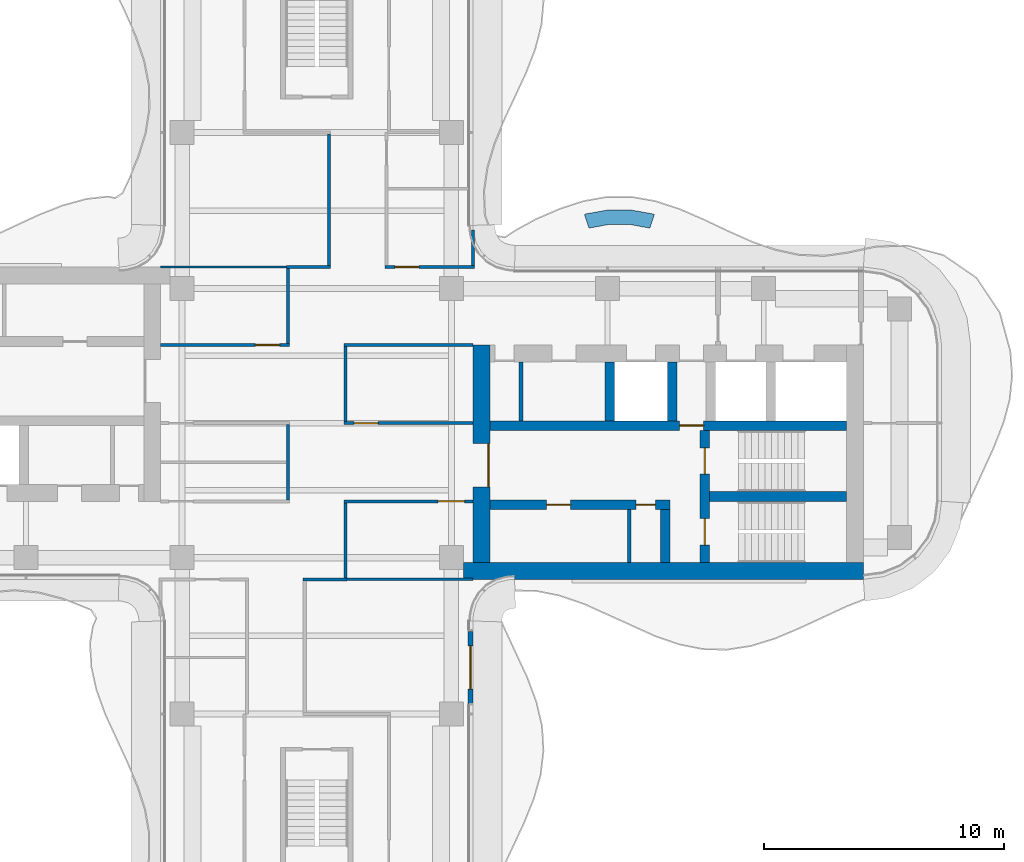
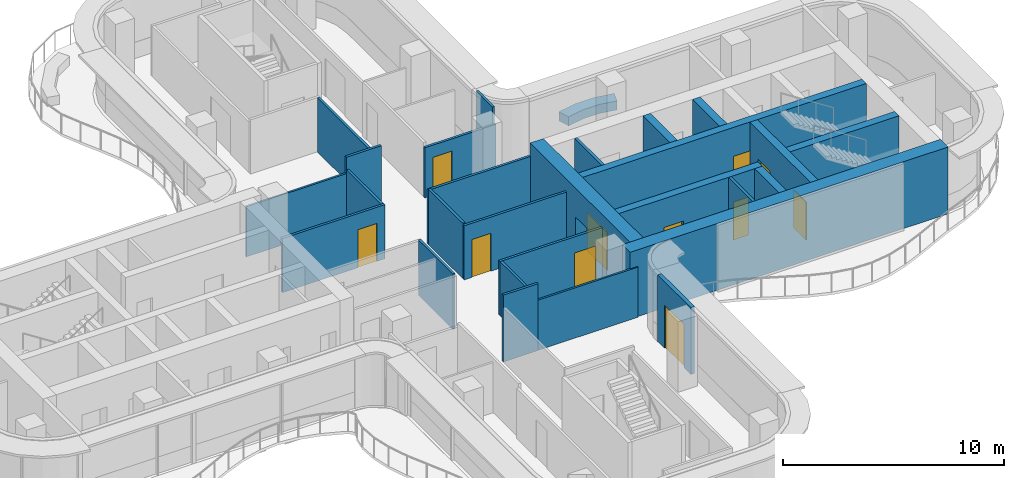
# One storey, part 13 of 17: 28 walls, 11 doors, 11 openings.
"""IFC4 building model written with IfcOpenShell, lengths in metres."""

import ifcopenshell
import ifcopenshell.guid

model = None  # the IFC model being written
_history = None  # IfcOwnerHistory: only IFC2X3 demands one
_inside = {}  # id of a spatial element -> (the spatial element, [elements in it])
_under = {}  # id of a project, library or spatial element -> (it, [spatial elements below it])
_declared = {}  # id of a project -> (the project, [libraries it declares])
_typed = {}  # id of a type object -> (the type object, [elements of that type])
_made_of = {}  # id of a material, layer set ... -> (it, [elements and type objects made of it])


def new_model(schema):
    """Start an empty IFC model of exactly this schema.

    Asked for "IFC4X3", IfcOpenShell would pick the latest addendum, in which some entities
    have other attributes; the version numbers below select the first issue.
    IFC2X3 requires an IfcOwnerHistory on every rooted entity: one is made here for all.
    """
    global model, _history
    if schema == "IFC4X3":
        model = ifcopenshell.file(schema_version=(4, 3, 0, 0))
    else:
        model = ifcopenshell.file(schema=schema)
    _inside.clear()
    _under.clear()
    _declared.clear()
    _typed.clear()
    _made_of.clear()
    _history = None
    if model.schema == "IFC2X3":
        org = make("IfcOrganization", Name="unknown")
        user = make(
            "IfcPersonAndOrganization",
            ThePerson=make("IfcPerson", FamilyName="unknown"),
            TheOrganization=org,
        )
        app = make(
            "IfcApplication",
            ApplicationDeveloper=org,
            Version="unknown",
            ApplicationFullName="unknown",
            ApplicationIdentifier="unknown",
        )
        _history = make(
            "IfcOwnerHistory",
            OwningUser=user,
            OwningApplication=app,
            ChangeAction="ADDED",
            CreationDate=0,
        )
    return model


def make(cls, **values):
    """One entity of the class cls with the attributes given. An attribute that is None is left unset."""
    return model.create_entity(
        cls, **{name: value for name, value in values.items() if value is not None}
    )


def rooted(cls, **values):
    """An entity with a GlobalId (a new one), such as an element, a storey or a relation."""
    return make(cls, GlobalId=ifcopenshell.guid.new(), OwnerHistory=_history, **values)


def si_unit(unit_type, name, prefix=None):
    """IfcSIUnit, for example si_unit("LENGTHUNIT", "METRE", prefix="MILLI")."""
    return make("IfcSIUnit", UnitType=unit_type, Prefix=prefix, Name=name)


def assignment(units):
    """IfcUnitAssignment: the units of a project."""
    return None if units is None else make("IfcUnitAssignment", Units=units)


def point(xyz):
    """IfcCartesianPoint."""
    return None if xyz is None else make("IfcCartesianPoint", Coordinates=xyz)


def direction(xyz):
    """IfcDirection."""
    return None if xyz is None else make("IfcDirection", DirectionRatios=xyz)


def frame(location, z_axis=None, x_axis=None):
    """IfcAxis2Placement3D, a coordinate frame: its origin and axes. An axis left out is left unset."""
    return make(
        "IfcAxis2Placement3D",
        Location=point(location),
        Axis=direction(z_axis),
        RefDirection=direction(x_axis),
    )


def frame_2d(location, x_axis=None):
    """IfcAxis2Placement2D, a coordinate frame in the plane: its origin and x axis."""
    return make(
        "IfcAxis2Placement2D", Location=point(location), RefDirection=direction(x_axis)
    )


def origin():
    """The frame at (0, 0, 0) with its axes left unset."""
    return frame((0.0, 0.0, 0.0))


def place(relative_to, where):
    """IfcLocalPlacement: puts the frame where relative to a parent placement (None: the world)."""
    return make(
        "IfcLocalPlacement", PlacementRelTo=relative_to, RelativePlacement=where
    )


def context(
    kind, dimensions, precision=None, world=None, true_north=None, identifier=None
):
    """IfcGeometricRepresentationContext, for example the 3D "Model" context."""
    return make(
        "IfcGeometricRepresentationContext",
        ContextIdentifier=identifier,
        ContextType=kind,
        CoordinateSpaceDimension=dimensions,
        Precision=precision,
        WorldCoordinateSystem=world,
        TrueNorth=true_north,
    )


def subcontext(parent, identifier, kind, view, scale=None):
    """IfcGeometricRepresentationSubContext, for example "Body" below "Model"."""
    return make(
        "IfcGeometricRepresentationSubContext",
        ContextIdentifier=identifier,
        ContextType=kind,
        ParentContext=parent,
        TargetScale=scale,
        TargetView=view,
    )


def project(units=None, contexts=None):
    """IfcProject with its units and contexts."""
    return rooted(
        "IfcProject",
        Name="project",
        RepresentationContexts=contexts,
        UnitsInContext=assignment(units),
    )


def spatial(cls, under=None, at=None, **own):
    """A site, building, storey or space (cls), placed at a placement, below another one or the project."""
    s = rooted(cls, ObjectPlacement=at, **own)
    if under is not None:
        _under.setdefault(under.id(), (under, []))[1].append(s)
    return s


def polyline(points):
    """IfcPolyline through the points."""
    return make("IfcPolyline", Points=[point(p) for p in points])


def profile(cls, at=None, kind="AREA", **sizes):
    """A parametric profile (cls). Its sizes go by their IFC names, for example OverallWidth=200.0."""
    return make(cls, ProfileType=kind, Position=at, **sizes)


def rectangle(**sizes):
    """IfcRectangleProfileDef."""
    return profile("IfcRectangleProfileDef", **sizes)


def outline(outer, holes=None, kind="AREA"):
    """IfcArbitraryClosedProfileDef: a profile drawn as a closed curve; with holes, ...WithVoids."""
    if holes is None:
        return make("IfcArbitraryClosedProfileDef", ProfileType=kind, OuterCurve=outer)
    return make(
        "IfcArbitraryProfileDefWithVoids",
        ProfileType=kind,
        OuterCurve=outer,
        InnerCurves=holes,
    )


def extrude(swept, where, along, depth):
    """IfcExtrudedAreaSolid: the profile swept, set in the frame where, extruded along a direction by depth."""
    return make(
        "IfcExtrudedAreaSolid",
        SweptArea=swept,
        Position=where,
        ExtrudedDirection=direction(along),
        Depth=depth,
    )


def shape(context_of_items, identifier, shape_type, items):
    """IfcShapeRepresentation: the items that make up one representation, for example the "Body"."""
    return make(
        "IfcShapeRepresentation",
        ContextOfItems=context_of_items,
        RepresentationIdentifier=identifier,
        RepresentationType=shape_type,
        Items=items,
    )


def source(mapping_origin, context_of_items, identifier, shape_type, items):
    """IfcRepresentationMap: a shape defined once, which mapped items show again and again."""
    return make(
        "IfcRepresentationMap",
        MappingOrigin=mapping_origin,
        MappedRepresentation=shape(context_of_items, identifier, shape_type, items),
    )


def transform(
    local_origin,
    x_axis=None,
    y_axis=None,
    z_axis=None,
    scale=None,
    scale2=None,
    scale3=None,
    uniform=True,
):
    """IfcCartesianTransformationOperator3D, or its non-uniform kind. x_axis, y_axis, z_axis: its Axis1, 2, 3."""
    if uniform:
        return make(
            "IfcCartesianTransformationOperator3D",
            Axis1=direction(x_axis),
            Axis2=direction(y_axis),
            LocalOrigin=point(local_origin),
            Scale=scale,
            Axis3=direction(z_axis),
        )
    return make(
        "IfcCartesianTransformationOperator3DnonUniform",
        Axis1=direction(x_axis),
        Axis2=direction(y_axis),
        LocalOrigin=point(local_origin),
        Scale=scale,
        Axis3=direction(z_axis),
        Scale2=scale2,
        Scale3=scale3,
    )


def mapped(mapping_source, mapping_target):
    """IfcMappedItem: shows the shape of a source again, moved by a transform."""
    return make(
        "IfcMappedItem", MappingSource=mapping_source, MappingTarget=mapping_target
    )


def material(Name=None, Category=None):
    """IfcMaterial."""
    return make("IfcMaterial", Name=Name, Category=Category)


def layer(
    of_material, thickness, ventilated=None, Name=None, Category=None, Priority=None
):
    """IfcMaterialLayer: one layer of a wall or slab, of a material (None: an air gap)."""
    return make(
        "IfcMaterialLayer",
        Material=of_material,
        LayerThickness=thickness,
        IsVentilated=ventilated,
        Name=Name,
        Category=Category,
        Priority=Priority,
    )


def layer_set(layers, Name=None):
    """IfcMaterialLayerSet."""
    return make("IfcMaterialLayerSet", MaterialLayers=layers, LayerSetName=Name)


def made_of(thing, what):
    """Note that an element or type object is made of a material, layer set ...; save() writes the relation."""
    if what is not None:
        _made_of.setdefault(what.id(), (what, []))[1].append(thing)
    return thing


def type_object(cls, material=None, **own):
    """A type object (cls), such as IfcWallType, which elements share."""
    return made_of(rooted(cls, **own), material)


def element(
    cls,
    number,
    at=None,
    inside=None,
    cuts=None,
    type_object=None,
    material=None,
    context=None,
    identifier="Body",
    shape_type=None,
    held_by="IfcProductDefinitionShape",
    body=None,
    shapes=None,
    **own,
):
    """One element of the class cls, such as IfcWall. Its Tag is "e" and its number.

    at: its placement. inside: the storey or other place that contains it. cuts: it is an
    opening in that element (IfcRelVoidsElement). A single representation is given by context,
    identifier, shape_type and body (its items); several are given by shapes. held_by: the class
    of the entity that holds the representations. save() writes the other relations.
    """
    e = rooted(cls, Tag="e%d" % number, ObjectPlacement=at, **own)
    if body is not None:
        shapes = [shape(context, identifier, shape_type, body)]
    if shapes is not None:
        e.Representation = make(held_by, Representations=shapes)
    if inside is not None:
        _inside.setdefault(inside.id(), (inside, []))[1].append(e)
    if cuts is not None:
        rooted(
            "IfcRelVoidsElement", RelatingBuildingElement=cuts, RelatedOpeningElement=e
        )
    if type_object is not None:
        _typed.setdefault(type_object.id(), (type_object, []))[1].append(e)
    return made_of(e, material)


def fill(opening, filler):
    """IfcRelFillsElement: the door or window that sits in an opening."""
    return rooted(
        "IfcRelFillsElement",
        RelatingOpeningElement=opening,
        RelatedBuildingElement=filler,
    )


def aggregate(whole, parts):
    """IfcRelAggregates: a whole, such as a stair, and the parts it consists of."""
    return rooted("IfcRelAggregates", RelatingObject=whole, RelatedObjects=parts)


def save(model, path):
    """Write the relations noted so far, then the file.

    IfcRelAggregates (storeys below a building ...), IfcRelContainedInSpatialStructure (elements
    in a storey), IfcRelDefinesByType, IfcRelAssociatesMaterial and IfcRelDeclares: one each for
    every whole, place, type object, material and project.
    """
    for whole, parts in _under.values():
        aggregate(whole, parts)
    for where, things in _inside.values():
        rooted(
            "IfcRelContainedInSpatialStructure",
            RelatedElements=things,
            RelatingStructure=where,
        )
    for kind, things in _typed.values():
        rooted("IfcRelDefinesByType", RelatedObjects=things, RelatingType=kind)
    for what, things in _made_of.values():
        rooted("IfcRelAssociatesMaterial", RelatedObjects=things, RelatingMaterial=what)
    for by, libraries in _declared.values():
        rooted("IfcRelDeclares", RelatingContext=by, RelatedDefinitions=libraries)
    model.write(path)


model = new_model("IFC4")

# Units and contexts
model_context = context("Model", 3, precision=1e-05, world=origin(), true_north=direction((0.0, 1.0)))
body_context = subcontext(model_context, "Body", "Model", "MODEL_VIEW")
ifc_project = project(units=[si_unit("LENGTHUNIT", "METRE"), si_unit("AREAUNIT", "SQUARE_METRE"), si_unit("VOLUMEUNIT", "CUBIC_METRE"), si_unit("PLANEANGLEUNIT", "RADIAN"), si_unit("MASSUNIT", "GRAM", prefix="KILO")], contexts=[model_context])

# Site, building, storey
site_placement = place(None, origin())
site = spatial("IfcSite", under=ifc_project, at=site_placement, CompositionType="ELEMENT")
building_placement = place(site_placement, origin())
building = spatial("IfcBuilding", under=site, at=building_placement, Name="Trellis Farm Tower", CompositionType="ELEMENT")
storey_placement = place(building_placement, frame((0.0, 0.0, 283.300048828125)))
storey = spatial("IfcBuildingStorey", under=building, at=storey_placement, Name="L63", CompositionType="ELEMENT", Elevation=283.300048828125)

# Wall
ifc_material_1 = material(Name="Sandstone faced masonry planter", Category="masonry")
ifc_layer_1 = layer(ifc_material_1, 0.60009765625)
ifc_layer_set_1 = layer_set([ifc_layer_1], Name="PLANTER BED 600")
wall_type_1 = type_object("IfcWallType", Name="PLANTER BED 600", PredefinedType="USERDEFINED", material=ifc_layer_set_1)
wall_1_placement = place(storey_placement, origin())
element("IfcWall", 1, at=wall_1_placement, inside=storey, type_object=wall_type_1, Name="PLANTER bed", ObjectType="PLANTER", PredefinedType="USERDEFINED", context=body_context, shape_type="SweptSolid", body=[
    extrude(outline(polyline([(12.141845703125, 8.875732421875), (13.04443359375, 8.876220703125), (13.960205078125, 8.71484375), (14.05126953125, 8.68505859375), (13.8642578125, 8.114990234375), (12.9921875, 8.276123046875), (12.194580078125, 8.275634765625), (11.328125, 8.114990234375), (11.141357421875, 8.68505859375), (11.231689453125, 8.714599609375), (12.141845703125, 8.875732421875)])), origin(), (0.0, 0.0, 1.0), 0.5),
])

# Wall, opening, door
ifc_material_2 = material(Name="Concrete C50/60", Category="concrete")
ifc_layer_2 = layer(ifc_material_2, 0.699951171875)
ifc_layer_set_2 = layer_set([ifc_layer_2], Name="CORE OUTER WALL 700 CONCRETE C50/60")
wall_type_2 = type_object("IfcWallType", Name="CORE OUTER WALL 700 CONCRETE C50/60", PredefinedType="SHEAR", material=ifc_layer_set_2)
shared_shape_1 = source(origin(), body_context, "Body", "SweptSolid", [
    extrude(rectangle(XDim=9.050048828125, YDim=0.699951171875, at=frame_2d((4.52490234375, 0.0))), origin(), (0.0, 0.0, 1.0), 3.699951171875),
])
wall_2_placement = place(storey_placement, frame((6.85009765625, -5.800048828125, 0.0), z_axis=(0.0, 0.0, 1.0), x_axis=(0.0, 1.0, 0.0)))
wall_2 = element("IfcWall", 2, at=wall_2_placement, inside=storey, type_object=wall_type_2, Name="Core wall", PredefinedType="SHEAR", context=body_context, shape_type="MappedRepresentation", body=[
    mapped(shared_shape_1, transform((0.0, 0.0, 0.0))),
])
shared_shape_2 = source(origin(), body_context, "Body", "SweptSolid", [
    extrude(rectangle(XDim=1.800048828125, YDim=2.10009765625, at=frame_2d((0.89990234375, 1.050048828125))), frame((0.0, 0.360107421875, 0.0), z_axis=(0.0, -1.0, 0.0), x_axis=(1.0, 0.0, 0.0)), (0.0, 0.0, 1.0), 0.72021484375),
])
opening_1_placement = place(wall_2_placement, frame((3.14990234375, 0.0, 0.0)))
opening_1 = element("IfcOpeningElement", 3, at=opening_1_placement, cuts=wall_2, Name="Opening DC1", PredefinedType="OPENING", context=body_context, shape_type="MappedRepresentation", body=[
    mapped(shared_shape_2, transform((0.0, 0.0, 0.0))),
])
ifc_material_3 = material(Name="Steel", Category="steel")
door_type_1 = type_object("IfcDoorType", Name="CORE FIRE DOOR DOUBLE 1800 X 2100", OperationType="DOUBLE_DOOR_SINGLE_SWING", PredefinedType="DOOR", material=ifc_material_3)
shared_shape_3 = source(origin(), body_context, "Body", "SweptSolid", [
    extrude(rectangle(XDim=1.800048828125, YDim=2.10009765625, at=frame_2d((0.89990234375, 1.050048828125))), frame((0.0, -0.27490234375, 0.0), z_axis=(0.0, -1.0, 0.0), x_axis=(1.0, 0.0, 0.0)), (0.0, 0.0, 1.0), 0.050048828125),
])
door_1_placement = place(opening_1_placement, origin())
door_1 = element("IfcDoor", 4, at=door_1_placement, inside=storey, type_object=door_type_1, Name="Core door", OperationType="DOUBLE_DOOR_SINGLE_SWING", OverallHeight=2.10009765625, OverallWidth=1.800048828125, PredefinedType="DOOR", context=body_context, shape_type="MappedRepresentation", body=[
    mapped(shared_shape_3, transform((0.0, 0.0, 0.0))),
])
fill(opening_1, door_1)

# Walls
ifc_layer_3 = layer(ifc_material_2, 0.39990234375)
ifc_layer_set_3 = layer_set([ifc_layer_3], Name="CORE INNER WALL 400 CONCRETE C50/60")
wall_type_3 = type_object("IfcWallType", Name="CORE INNER WALL 400 CONCRETE C50/60", PredefinedType="SHEAR", material=ifc_layer_set_3)
shared_shape_4 = source(origin(), body_context, "Body", "SweptSolid", [
    extrude(rectangle(XDim=2.449951171875, YDim=0.39990234375, at=frame_2d((1.22509765625, 0.0))), origin(), (0.0, 0.0, 1.0), 3.699951171875),
])
for number, where, z_axis, x_axis, name in (
    (5, (12.199951171875, 0.10009765625, 0.0), (0.0, 0.0, 1.0), (0.0, 1.0, 0.0), "Core wall"),
    (6, (14.800048828125, 0.10009765625, 0.0), (0.0, 0.0, 1.0), (0.0, 1.0, 0.0), "Core wall"),
):
    element("IfcWall", number, at=place(storey_placement, frame(where, z_axis=z_axis, x_axis=x_axis)), inside=storey, type_object=wall_type_3, Name=name, PredefinedType="SHEAR", context=body_context, shape_type="MappedRepresentation", body=[
        mapped(shared_shape_4, transform((0.0, 0.0, 0.0))),
    ])

# Wall, openings, doors
shared_shape_5 = source(origin(), body_context, "Body", "SweptSolid", [
    extrude(rectangle(XDim=7.5, YDim=0.39990234375, at=frame_2d((3.75, 0.0))), origin(), (0.0, 0.0, 1.0), 3.699951171875),
])
wall_3_placement = place(storey_placement, frame((7.199951171875, -3.39990234375, 0.0), z_axis=(0.0, 0.0, 1.0), x_axis=(1.0, 0.0, 0.0)))
wall_3 = element("IfcWall", 7, at=wall_3_placement, inside=storey, type_object=wall_type_3, Name="Core wall", PredefinedType="SHEAR", context=body_context, shape_type="MappedRepresentation", body=[
    mapped(shared_shape_5, transform((0.0, 0.0, 0.0))),
])
shared_shape_6 = source(origin(), body_context, "Body", "SweptSolid", [
    extrude(rectangle(XDim=1.0, YDim=2.10009765625, at=frame_2d((0.5, 1.050048828125))), frame((0.0, 0.2099609375, 0.0), z_axis=(0.0, -1.0, 0.0), x_axis=(1.0, 0.0, 0.0)), (0.0, 0.0, 1.0), 0.419921875),
])
opening_2_placement = place(wall_3_placement, frame((2.362548828125, 0.0, 0.0)))
opening_2 = element("IfcOpeningElement", 8, at=opening_2_placement, cuts=wall_3, Name="Opening DC55", PredefinedType="OPENING", context=body_context, shape_type="MappedRepresentation", body=[
    mapped(shared_shape_6, transform((0.0, 0.0, 0.0))),
])
shared_shape_7 = source(origin(), body_context, "Body", "SweptSolid", [
    extrude(rectangle(XDim=0.800048828125, YDim=2.10009765625, at=frame_2d((0.39990234375, 1.050048828125))), frame((0.0, 0.2099609375, 0.0), z_axis=(0.0, -1.0, 0.0), x_axis=(1.0, 0.0, 0.0)), (0.0, 0.0, 1.0), 0.419921875),
])
opening_3_placement = place(wall_3_placement, frame((6.08740234375, 0.0, 0.0)))
opening_3 = element("IfcOpeningElement", 9, at=opening_3_placement, cuts=wall_3, Name="Opening DC58", PredefinedType="OPENING", context=body_context, shape_type="MappedRepresentation", body=[
    mapped(shared_shape_7, transform((0.0, 0.0, 0.0))),
])
door_type_2 = type_object("IfcDoorType", Name="CORE FIRE DOOR 1000 X 2100", OperationType="NOTDEFINED", PredefinedType="DOOR", material=ifc_material_3)
shared_shape_8 = source(origin(), body_context, "Body", "SweptSolid", [
    extrude(rectangle(XDim=1.0, YDim=2.10009765625, at=frame_2d((0.5, 1.050048828125))), frame((0.0, 0.02490234375, 0.0), z_axis=(0.0, -1.0, 0.0), x_axis=(1.0, 0.0, 0.0)), (0.0, 0.0, 1.0), 0.050048828125),
])
door_2_placement = place(opening_2_placement, origin())
door_2 = element("IfcDoor", 10, at=door_2_placement, inside=storey, type_object=door_type_2, Name="Core door", OperationType="SINGLE_SWING_LEFT", OverallHeight=2.10009765625, OverallWidth=1.0, PredefinedType="DOOR", context=body_context, shape_type="MappedRepresentation", body=[
    mapped(shared_shape_8, transform((0.0, 0.0, 0.0))),
])
fill(opening_2, door_2)
door_type_3 = type_object("IfcDoorType", Name="CORE FIRE DOOR 800 X 2100", OperationType="NOTDEFINED", PredefinedType="DOOR", material=ifc_material_3)
shared_shape_9 = source(origin(), body_context, "Body", "SweptSolid", [
    extrude(rectangle(XDim=0.800048828125, YDim=2.10009765625, at=frame_2d((0.39990234375, 1.050048828125))), frame((0.0, 0.02490234375, 0.0), z_axis=(0.0, -1.0, 0.0), x_axis=(1.0, 0.0, 0.0)), (0.0, 0.0, 1.0), 0.050048828125),
])
door_3_placement = place(opening_3_placement, origin())
door_3 = element("IfcDoor", 11, at=door_3_placement, inside=storey, type_object=door_type_3, Name="Core door", OperationType="SINGLE_SWING_RIGHT", OverallHeight=2.10009765625, OverallWidth=0.800048828125, PredefinedType="DOOR", context=body_context, shape_type="MappedRepresentation", body=[
    mapped(shared_shape_9, transform((0.0, 0.0, 0.0))),
])
fill(opening_3, door_3)

# Wall, opening, door
shared_shape_10 = source(origin(), body_context, "Body", "SweptSolid", [
    extrude(rectangle(XDim=14.85009765625, YDim=0.39990234375, at=frame_2d((7.425048828125, 0.0))), origin(), (0.0, 0.0, 1.0), 3.699951171875),
])
wall_4_placement = place(storey_placement, frame((7.199951171875, -0.10009765625, 0.0), z_axis=(0.0, 0.0, 1.0), x_axis=(1.0, 0.0, 0.0)))
wall_4 = element("IfcWall", 12, at=wall_4_placement, inside=storey, type_object=wall_type_3, Name="Core wall", PredefinedType="SHEAR", context=body_context, shape_type="MappedRepresentation", body=[
    mapped(shared_shape_10, transform((0.0, 0.0, 0.0))),
])
opening_4_placement = place(wall_4_placement, frame((7.89990234375, 0.0, 0.0)))
opening_4 = element("IfcOpeningElement", 13, at=opening_4_placement, cuts=wall_4, Name="Opening DC5", PredefinedType="OPENING", context=body_context, shape_type="MappedRepresentation", body=[
    mapped(shared_shape_6, transform((0.0, 0.0, 0.0))),
])
door_4_placement = place(opening_4_placement, origin())
door_4 = element("IfcDoor", 14, at=door_4_placement, inside=storey, type_object=door_type_2, Name="Core door", OperationType="SINGLE_SWING_RIGHT", OverallHeight=2.10009765625, OverallWidth=1.0, PredefinedType="DOOR", context=body_context, shape_type="MappedRepresentation", body=[
    mapped(shared_shape_8, transform((0.0, 0.0, 0.0))),
])
fill(opening_4, door_4)

# Wall, openings, doors
shared_shape_11 = source(origin(), body_context, "Body", "SweptSolid", [
    extrude(rectangle(XDim=5.5, YDim=0.39990234375, at=frame_2d((2.75, 0.0))), origin(), (0.0, 0.0, 1.0), 3.699951171875),
])
wall_5_placement = place(storey_placement, frame((16.14990234375, -5.800048828125, 0.0), z_axis=(0.0, 0.0, 1.0), x_axis=(0.0, 1.0, 0.0)))
wall_5 = element("IfcWall", 15, at=wall_5_placement, inside=storey, type_object=wall_type_3, Name="Core wall", PredefinedType="SHEAR", context=body_context, shape_type="MappedRepresentation", body=[
    mapped(shared_shape_11, transform((0.0, 0.0, 0.0))),
])
shared_shape_12 = source(origin(), body_context, "Body", "SweptSolid", [
    extrude(rectangle(XDim=1.10009765625, YDim=2.10009765625, at=frame_2d((0.550048828125, 1.050048828125))), frame((0.0, 0.2099609375, 0.0), z_axis=(0.0, -1.0, 0.0), x_axis=(1.0, 0.0, 0.0)), (0.0, 0.0, 1.0), 0.419921875),
])
opening_5_placement = place(wall_5_placement, frame((0.72509765625, 0.0, 0.0)))
opening_5 = element("IfcOpeningElement", 16, at=opening_5_placement, cuts=wall_5, Name="Opening DC2", PredefinedType="OPENING", context=body_context, shape_type="MappedRepresentation", body=[
    mapped(shared_shape_12, transform((0.0, 0.0, 0.0))),
])
opening_6_placement = place(wall_5_placement, frame((3.675048828125, 0.0, 0.0)))
opening_6 = element("IfcOpeningElement", 17, at=opening_6_placement, cuts=wall_5, Name="Opening DC3", PredefinedType="OPENING", context=body_context, shape_type="MappedRepresentation", body=[
    mapped(shared_shape_12, transform((0.0, 0.0, 0.0))),
])
door_type_4 = type_object("IfcDoorType", Name="CORE FIRE DOOR 1100 X 2100", OperationType="NOTDEFINED", PredefinedType="DOOR", material=ifc_material_3)
shared_shape_13 = source(origin(), body_context, "Body", "SweptSolid", [
    extrude(rectangle(XDim=1.10009765625, YDim=2.10009765625, at=frame_2d((0.550048828125, 1.050048828125))), frame((0.0, 0.02490234375, 0.0), z_axis=(0.0, -1.0, 0.0), x_axis=(1.0, 0.0, 0.0)), (0.0, 0.0, 1.0), 0.050048828125),
])
door_5_placement = place(opening_5_placement, origin())
door_5 = element("IfcDoor", 18, at=door_5_placement, inside=storey, type_object=door_type_4, Name="Core door", OperationType="SINGLE_SWING_RIGHT", OverallHeight=2.10009765625, OverallWidth=1.10009765625, PredefinedType="DOOR", context=body_context, shape_type="MappedRepresentation", body=[
    mapped(shared_shape_13, transform((0.0, 0.0, 0.0))),
])
fill(opening_5, door_5)
door_6_placement = place(opening_6_placement, origin())
door_6 = element("IfcDoor", 19, at=door_6_placement, inside=storey, type_object=door_type_4, Name="Core door", OperationType="SINGLE_SWING_LEFT", OverallHeight=2.10009765625, OverallWidth=1.10009765625, PredefinedType="DOOR", context=body_context, shape_type="MappedRepresentation", body=[
    mapped(shared_shape_13, transform((0.0, 0.0, 0.0))),
])
fill(opening_6, door_6)

# Walls
shared_shape_14 = source(origin(), body_context, "Body", "SweptSolid", [
    extrude(rectangle(XDim=5.699951171875, YDim=0.39990234375, at=frame_2d((2.85009765625, 0.0))), origin(), (0.0, 0.0, 1.0), 3.699951171875),
])
wall_6_placement = place(storey_placement, frame((16.35009765625, -3.050048828125, 0.0), z_axis=(0.0, 0.0, 1.0), x_axis=(1.0, 0.0, 0.0)))
element("IfcWall", 20, at=wall_6_placement, inside=storey, type_object=wall_type_3, Name="Core wall", PredefinedType="SHEAR", context=body_context, shape_type="MappedRepresentation", body=[
    mapped(shared_shape_14, transform((0.0, 0.0, 0.0))),
])
shared_shape_15 = source(origin(), body_context, "Body", "SweptSolid", [
    extrude(rectangle(XDim=2.199951171875, YDim=0.39990234375, at=frame_2d((1.10009765625, 0.0))), origin(), (0.0, 0.0, 1.0), 3.699951171875),
])
wall_7_placement = place(storey_placement, frame((14.5, -5.800048828125, 0.0), z_axis=(0.0, 0.0, 1.0), x_axis=(0.0, 1.0, 0.0)))
element("IfcWall", 21, at=wall_7_placement, inside=storey, type_object=wall_type_3, Name="Core wall", PredefinedType="SHEAR", context=body_context, shape_type="MappedRepresentation", body=[
    mapped(shared_shape_15, transform((0.0, 0.0, 0.0))),
])
ifc_material_4 = material(Name="Masonry blockwork", Category="masonry")
ifc_layer_4 = layer(ifc_material_4, 0.14990234375)
ifc_layer_set_4 = layer_set([ifc_layer_4], Name="CORE PARTITION 150 BLOCKWORK")
wall_type_4 = type_object("IfcWallType", Name="CORE PARTITION 150 BLOCKWORK", PredefinedType="PARTITIONING", material=ifc_layer_set_4)
shared_shape_16 = source(origin(), body_context, "Body", "SweptSolid", [
    extrude(rectangle(XDim=2.199951171875, YDim=0.14990234375, at=frame_2d((1.10009765625, 0.0))), origin(), (0.0, 0.0, 1.0), 3.699951171875),
])
wall_8_placement = place(storey_placement, frame((13.0, -5.800048828125, 0.0), z_axis=(0.0, 0.0, 1.0), x_axis=(0.0, 1.0, 0.0)))
element("IfcWall", 22, at=wall_8_placement, inside=storey, type_object=wall_type_4, Name="Core room partition", PredefinedType="PARTITIONING", context=body_context, shape_type="MappedRepresentation", body=[
    mapped(shared_shape_16, transform((0.0, 0.0, 0.0))),
])
shared_shape_17 = source(origin(), body_context, "Body", "SweptSolid", [
    extrude(rectangle(XDim=16.64990234375, YDim=0.699951171875, at=frame_2d((8.324951171875, 0.0))), origin(), (0.0, 0.0, 1.0), 3.699951171875),
])
wall_9_placement = place(storey_placement, frame((6.10009765625, -6.14990234375, 0.0), z_axis=(0.0, 0.0, 1.0), x_axis=(1.0, 0.0, 0.0)))
element("IfcWall", 23, at=wall_9_placement, inside=storey, type_object=wall_type_2, Name="Core wall", PredefinedType="SHEAR", context=body_context, shape_type="MappedRepresentation", body=[
    mapped(shared_shape_17, transform((0.0, 0.0, 0.0))),
])
shared_shape_18 = source(origin(), body_context, "Body", "SweptSolid", [
    extrude(rectangle(XDim=2.449951171875, YDim=0.14990234375, at=frame_2d((1.22509765625, 0.0))), origin(), (0.0, 0.0, 1.0), 3.699951171875),
])
wall_10_placement = place(storey_placement, frame((8.5, 0.10009765625, 0.0), z_axis=(0.0, 0.0, 1.0), x_axis=(0.0, 1.0, 0.0)))
element("IfcWall", 24, at=wall_10_placement, inside=storey, type_object=wall_type_4, Name="Core room partition", PredefinedType="PARTITIONING", context=body_context, shape_type="MappedRepresentation", body=[
    mapped(shared_shape_18, transform((0.0, 0.0, 0.0))),
])

# Wall, opening, door
ifc_material_5 = material(Name="Sandstone faced insulated wall", Category="masonry")
ifc_layer_5 = layer(ifc_material_5, 0.199951171875)
ifc_layer_set_5 = layer_set([ifc_layer_5], Name="EXTERNAL INFILL WALL 200")
wall_type_5 = type_object("IfcWallType", Name="EXTERNAL INFILL WALL 200", PredefinedType="SOLIDWALL", material=ifc_layer_set_5)
shared_shape_19 = source(origin(), body_context, "Body", "SweptSolid", [
    extrude(rectangle(XDim=3.0, YDim=0.199951171875, at=frame_2d((1.5, 0.0))), origin(), (0.0, 0.0, 1.0), 3.699951171875),
])
wall_11_placement = place(storey_placement, frame((6.39990234375, -11.665771484375, 0.0), z_axis=(0.0, 0.0, 1.0), x_axis=(0.0, 1.0, 0.0)))
wall_11 = element("IfcWall", 25, at=wall_11_placement, inside=storey, type_object=wall_type_5, Name="EW1 01", PredefinedType="SOLIDWALL", context=body_context, shape_type="MappedRepresentation", body=[
    mapped(shared_shape_19, transform((0.0, 0.0, 0.0))),
])
shared_shape_20 = source(origin(), body_context, "Body", "SweptSolid", [
    extrude(rectangle(XDim=1.800048828125, YDim=2.39990234375, at=frame_2d((0.89990234375, 1.199951171875))), frame((0.0, 0.110107421875, 0.0), z_axis=(0.0, -1.0, 0.0), x_axis=(1.0, 0.0, 0.0)), (0.0, 0.0, 1.0), 0.22021484375),
])
opening_7_placement = place(wall_11_placement, frame((0.60009765625, 0.0, 0.0)))
opening_7 = element("IfcOpeningElement", 26, at=opening_7_placement, cuts=wall_11, Name="Opening ED1", PredefinedType="OPENING", context=body_context, shape_type="MappedRepresentation", body=[
    mapped(shared_shape_20, transform((0.0, 0.0, 0.0))),
])
ifc_material_6 = material(Name="Aluminium framed glazed door", Category="aluminium")
door_type_5 = type_object("IfcDoorType", Name="BALCONY DOOR 1800x2400", OperationType="DOUBLE_DOOR_SINGLE_SWING", PredefinedType="DOOR", material=ifc_material_6)
shared_shape_21 = source(origin(), body_context, "Body", "SweptSolid", [
    extrude(rectangle(XDim=1.800048828125, YDim=2.39990234375, at=frame_2d((0.89990234375, 1.199951171875))), frame((0.0, 0.02490234375, 0.0), z_axis=(0.0, -1.0, 0.0), x_axis=(1.0, 0.0, 0.0)), (0.0, 0.0, 1.0), 0.050048828125),
])
door_7_placement = place(opening_7_placement, origin())
door_7 = element("IfcDoor", 27, at=door_7_placement, inside=storey, type_object=door_type_5, Name="Balcony door", OperationType="DOUBLE_DOOR_SINGLE_SWING", OverallHeight=2.39990234375, OverallWidth=1.800048828125, PredefinedType="DOOR", context=body_context, shape_type="MappedRepresentation", body=[
    mapped(shared_shape_21, transform((0.0, 0.0, 0.0))),
])
fill(opening_7, door_7)

# Walls
ifc_material_7 = material(Name="Plasterboard on steel studs, mineral wool", Category="steel")
ifc_layer_6 = layer(ifc_material_7, 0.125)
ifc_layer_set_6 = layer_set([ifc_layer_6], Name="PARTITION 125 STUD EI 60")
wall_type_6 = type_object("IfcWallType", Name="PARTITION 125 STUD EI 60", PredefinedType="PARTITIONING", material=ifc_layer_set_6)
shared_shape_22 = source(origin(), body_context, "Body", "SweptSolid", [
    extrude(rectangle(XDim=5.47509765625, YDim=0.125, at=frame_2d((2.737548828125, 0.0))), origin(), (0.0, 0.0, 1.0), 2.99658203125),
])
wall_12_placement = place(storey_placement, frame((0.5, 12.03759765625, 0.0), z_axis=(0.0, 0.0, 1.0), x_axis=(0.0, -1.0, 0.0)))
element("IfcWall", 28, at=wall_12_placement, inside=storey, type_object=wall_type_6, Name="Partition PW1", PredefinedType="PARTITIONING", context=body_context, shape_type="MappedRepresentation", body=[
    mapped(shared_shape_22, transform((0.0, 0.0, 0.0))),
])
shared_shape_23 = source(origin(), body_context, "Body", "SweptSolid", [
    extrude(rectangle(XDim=3.137451171875, YDim=0.125, at=frame_2d((1.56884765625, 0.0))), origin(), (0.0, 0.0, 1.0), 2.99658203125),
])
for number, where, z_axis, x_axis, name in (
    (29, (-1.199951171875, 6.449951171875, 0.0), (0.0, 0.0, 1.0), (0.0, -1.0, 0.0), "Partition PW1"),
    (30, (1.199951171875, -3.3125, 0.0), (0.0, 0.0, 1.0), (0.0, -1.0, 0.0), "Partition PW1"),
):
    element("IfcWall", number, at=place(storey_placement, frame(where, z_axis=z_axis, x_axis=x_axis)), inside=storey, type_object=wall_type_6, Name=name, PredefinedType="PARTITIONING", context=body_context, shape_type="MappedRepresentation", body=[
        mapped(shared_shape_23, transform((0.0, 0.0, 0.0))),
    ])
shared_shape_24 = source(origin(), body_context, "Body", "SweptSolid", [
    extrude(rectangle(XDim=3.125, YDim=0.125, at=frame_2d((1.5625, 0.0))), origin(), (0.0, 0.0, 1.0), 3.06787109375),
])
for number, where, z_axis, x_axis, name in (
    (31, (-1.199951171875, -0.0625, 0.0), (0.0, 0.0, 1.0), (0.0, -1.0, 0.0), "Partition PW1"),
    (32, (1.199951171875, 3.1875, 0.0), (0.0, 0.0, 1.0), (0.0, -1.0, 0.0), "Partition PW1"),
):
    element("IfcWall", number, at=place(storey_placement, frame(where, z_axis=z_axis, x_axis=x_axis)), inside=storey, type_object=wall_type_6, Name=name, PredefinedType="PARTITIONING", context=body_context, shape_type="MappedRepresentation", body=[
        mapped(shared_shape_24, transform((0.0, 0.0, 0.0))),
    ])
shared_shape_25 = source(origin(), body_context, "Body", "SweptSolid", [
    extrude(rectangle(XDim=1.468994140625, YDim=0.125, at=frame_2d((0.734375, 0.0))), origin(), (0.0, 0.0, 1.0), 3.699951171875),
])
wall_13_placement = place(storey_placement, frame((6.5, 6.5625, 0.0), z_axis=(0.0, 0.0, 1.0), x_axis=(0.0, 1.0, 0.0)))
element("IfcWall", 33, at=wall_13_placement, inside=storey, type_object=wall_type_6, Name="Partition PW1", PredefinedType="PARTITIONING", context=body_context, shape_type="MappedRepresentation", body=[
    mapped(shared_shape_25, transform((0.0, 0.0, 0.0))),
])

# Wall, opening, door
shared_shape_26 = source(origin(), body_context, "Body", "SweptSolid", [
    extrude(rectangle(XDim=5.362548828125, YDim=0.125, at=frame_2d((2.68115234375, 0.0))), origin(), (0.0, 0.0, 1.0), 2.99658203125),
])
wall_14_placement = place(storey_placement, frame((6.5, -3.25, 0.0), z_axis=(0.0, 0.0, 1.0), x_axis=(-1.0, 0.0, 0.0)))
wall_14 = element("IfcWall", 34, at=wall_14_placement, inside=storey, type_object=wall_type_6, Name="Partition PW1", PredefinedType="PARTITIONING", context=body_context, shape_type="MappedRepresentation", body=[
    mapped(shared_shape_26, transform((0.0, 0.0, 0.0))),
])
shared_shape_27 = source(origin(), body_context, "Body", "SweptSolid", [
    extrude(rectangle(XDim=1.10009765625, YDim=2.10009765625, at=frame_2d((0.550048828125, 1.050048828125))), frame((0.0, 0.072509765625, 0.0), z_axis=(0.0, -1.0, 0.0), x_axis=(1.0, 0.0, 0.0)), (0.0, 0.0, 1.0), 0.14501953125),
])
opening_8_placement = place(wall_14_placement, frame((0.35009765625, 0.0, 0.0)))
opening_8 = element("IfcOpeningElement", 35, at=opening_8_placement, cuts=wall_14, Name="Opening D501", PredefinedType="OPENING", context=body_context, shape_type="MappedRepresentation", body=[
    mapped(shared_shape_27, transform((0.0, 0.0, 0.0))),
])
ifc_material_8 = material(Name="Fire-rated timber door leaf in a hollow metal frame", Category="wood")
door_type_6 = type_object("IfcDoorType", Name="DOOR 1100x2100 FD30S", OperationType="NOTDEFINED", PredefinedType="DOOR", material=ifc_material_8)
door_8_placement = place(opening_8_placement, origin())
door_8 = element("IfcDoor", 36, at=door_8_placement, inside=storey, type_object=door_type_6, Name="Door D501", OperationType="SINGLE_SWING_LEFT", OverallHeight=2.10009765625, OverallWidth=1.10009765625, PredefinedType="DOOR", context=body_context, shape_type="MappedRepresentation", body=[
    mapped(shared_shape_13, transform((0.0, 0.0, 0.0))),
])
fill(opening_8, door_8)

wall_15_placement = place(storey_placement, frame((6.5, 0.0, 0.0), z_axis=(0.0, 0.0, 1.0), x_axis=(-1.0, 0.0, 0.0)))
wall_15 = element("IfcWall", 37, at=wall_15_placement, inside=storey, type_object=wall_type_6, Name="Partition PW1", PredefinedType="PARTITIONING", context=body_context, shape_type="MappedRepresentation", body=[
    mapped(shared_shape_26, transform((0.0, 0.0, 0.0))),
])
shared_shape_28 = source(origin(), body_context, "Body", "SweptSolid", [
    extrude(rectangle(XDim=1.0, YDim=2.10009765625, at=frame_2d((0.5, 1.050048828125))), frame((0.0, 0.072509765625, 0.0), z_axis=(0.0, -1.0, 0.0), x_axis=(1.0, 0.0, 0.0)), (0.0, 0.0, 1.0), 0.14501953125),
])
opening_9_placement = place(wall_15_placement, frame((3.949951171875, 0.0, 0.0)))
opening_9 = element("IfcOpeningElement", 38, at=opening_9_placement, cuts=wall_15, Name="Opening D106", PredefinedType="OPENING", context=body_context, shape_type="MappedRepresentation", body=[
    mapped(shared_shape_28, transform((0.0, 0.0, 0.0))),
])
door_type_7 = type_object("IfcDoorType", Name="DOOR 1000x2100 FD30S", OperationType="NOTDEFINED", PredefinedType="DOOR", material=ifc_material_8)
door_9_placement = place(opening_9_placement, origin())
door_9 = element("IfcDoor", 39, at=door_9_placement, inside=storey, type_object=door_type_7, Name="Door D106", OperationType="SINGLE_SWING_RIGHT", OverallHeight=2.10009765625, OverallWidth=1.0, PredefinedType="DOOR", context=body_context, shape_type="MappedRepresentation", body=[
    mapped(shared_shape_8, transform((0.0, 0.0, 0.0))),
])
fill(opening_9, door_9)

wall_16_placement = place(storey_placement, frame((-6.5, 3.25, 0.0), z_axis=(0.0, 0.0, 1.0), x_axis=(1.0, 0.0, 0.0)))
wall_16 = element("IfcWall", 40, at=wall_16_placement, inside=storey, type_object=wall_type_6, Name="Partition PW1", PredefinedType="PARTITIONING", context=body_context, shape_type="MappedRepresentation", body=[
    mapped(shared_shape_26, transform((0.0, 0.0, 0.0))),
])
opening_10_placement = place(wall_16_placement, frame((3.949951171875, 0.0, 0.0)))
opening_10 = element("IfcOpeningElement", 41, at=opening_10_placement, cuts=wall_16, Name="Opening D108", PredefinedType="OPENING", context=body_context, shape_type="MappedRepresentation", body=[
    mapped(shared_shape_28, transform((0.0, 0.0, 0.0))),
])
door_10_placement = place(opening_10_placement, origin())
door_10 = element("IfcDoor", 42, at=door_10_placement, inside=storey, type_object=door_type_7, Name="Door D108", OperationType="SINGLE_SWING_RIGHT", OverallHeight=2.10009765625, OverallWidth=1.0, PredefinedType="DOOR", context=body_context, shape_type="MappedRepresentation", body=[
    mapped(shared_shape_8, transform((0.0, 0.0, 0.0))),
])
fill(opening_10, door_10)

# Walls
wall_17_placement = place(storey_placement, frame((1.137451171875, 3.25, 0.0), z_axis=(0.0, 0.0, 1.0), x_axis=(1.0, 0.0, 0.0)))
element("IfcWall", 43, at=wall_17_placement, inside=storey, type_object=wall_type_6, Name="Partition PW1", PredefinedType="PARTITIONING", context=body_context, shape_type="MappedRepresentation", body=[
    mapped(shared_shape_26, transform((0.0, 0.0, 0.0))),
])
ifc_material_9 = material(Name="Plasterboard on steel studs", Category="steel")
ifc_layer_7 = layer(ifc_material_9, 0.10009765625)
ifc_layer_set_7 = layer_set([ifc_layer_7], Name="PARTITION 100 STUD EI 30")
wall_type_7 = type_object("IfcWallType", Name="PARTITION 100 STUD EI 30", PredefinedType="PARTITIONING", material=ifc_layer_set_7)
shared_shape_29 = source(origin(), body_context, "Body", "SweptSolid", [
    extrude(rectangle(XDim=5.362548828125, YDim=0.10009765625, at=frame_2d((2.68115234375, 0.0))), origin(), (0.0, 0.0, 1.0), 2.780029296875),
])
for number, where, z_axis, x_axis, name in (
    (44, (1.137451171875, -6.5, 0.0), (0.0, 0.0, 1.0), (1.0, 0.0, 0.0), "Partition PW2"),
    (45, (-6.5, 6.5, 0.0), (0.0, 0.0, 1.0), (1.0, 0.0, 0.0), "Partition PW2"),
):
    element("IfcWall", number, at=place(storey_placement, frame(where, z_axis=z_axis, x_axis=x_axis)), inside=storey, type_object=wall_type_7, Name=name, PredefinedType="PARTITIONING", context=body_context, shape_type="MappedRepresentation", body=[
        mapped(shared_shape_29, transform((0.0, 0.0, 0.0))),
    ])
shared_shape_30 = source(origin(), body_context, "Body", "SweptSolid", [
    extrude(rectangle(XDim=1.824951171875, YDim=0.125, at=frame_2d((0.91259765625, 0.0))), origin(), (0.0, 0.0, 1.0), 3.699951171875),
])
for number, where, z_axis, x_axis, name in (
    (46, (1.262451171875, -6.5, 0.0), (0.0, 0.0, 1.0), (-1.0, 0.0, 0.0), "Partition PW1"),
    (47, (-1.262451171875, 6.5, 0.0), (0.0, 0.0, 1.0), (1.0, 0.0, 0.0), "Partition PW1"),
):
    element("IfcWall", number, at=place(storey_placement, frame(where, z_axis=z_axis, x_axis=x_axis)), inside=storey, type_object=wall_type_6, Name=name, PredefinedType="PARTITIONING", context=body_context, shape_type="MappedRepresentation", body=[
        mapped(shared_shape_30, transform((0.0, 0.0, 0.0))),
    ])

# Wall, opening, door
shared_shape_31 = source(origin(), body_context, "Body", "SweptSolid", [
    extrude(rectangle(XDim=3.72509765625, YDim=0.125, at=frame_2d((1.862548828125, 0.0))), origin(), (0.0, 0.0, 1.0), 2.780029296875),
])
wall_18_placement = place(storey_placement, frame((2.83740234375, 6.5, 0.0), z_axis=(0.0, 0.0, 1.0), x_axis=(1.0, 0.0, 0.0)))
wall_18 = element("IfcWall", 48, at=wall_18_placement, inside=storey, type_object=wall_type_6, Name="Partition PW1", PredefinedType="PARTITIONING", context=body_context, shape_type="MappedRepresentation", body=[
    mapped(shared_shape_31, transform((0.0, 0.0, 0.0))),
])
opening_11_placement = place(wall_18_placement, frame((0.41259765625, 0.0, 0.0)))
opening_11 = element("IfcOpeningElement", 49, at=opening_11_placement, cuts=wall_18, Name="Opening D109", PredefinedType="OPENING", context=body_context, shape_type="MappedRepresentation", body=[
    mapped(shared_shape_28, transform((0.0, 0.0, 0.0))),
])
door_11_placement = place(opening_11_placement, origin())
door_11 = element("IfcDoor", 50, at=door_11_placement, inside=storey, type_object=door_type_7, Name="Door D109", OperationType="SINGLE_SWING_LEFT", OverallHeight=2.10009765625, OverallWidth=1.0, PredefinedType="DOOR", context=body_context, shape_type="MappedRepresentation", body=[
    mapped(shared_shape_8, transform((0.0, 0.0, 0.0))),
])
fill(opening_11, door_11)

save(model, "model.ifc")
